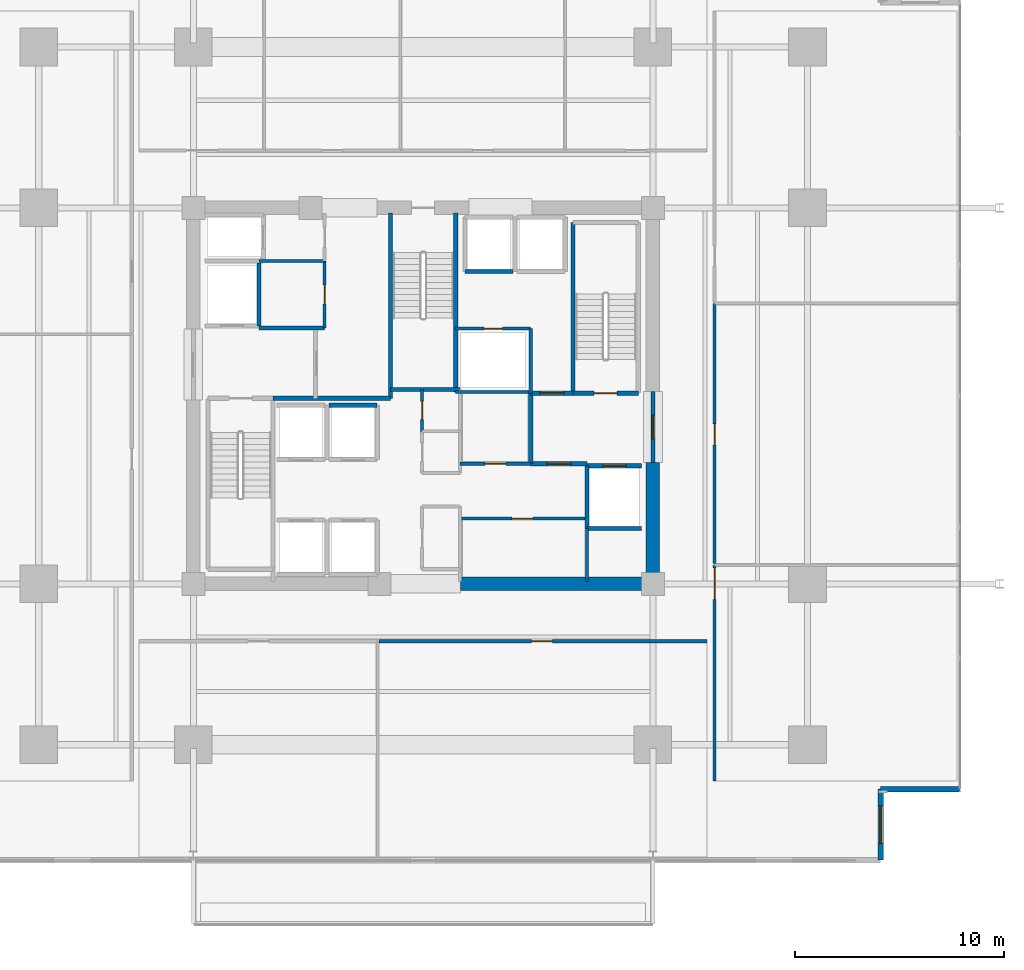
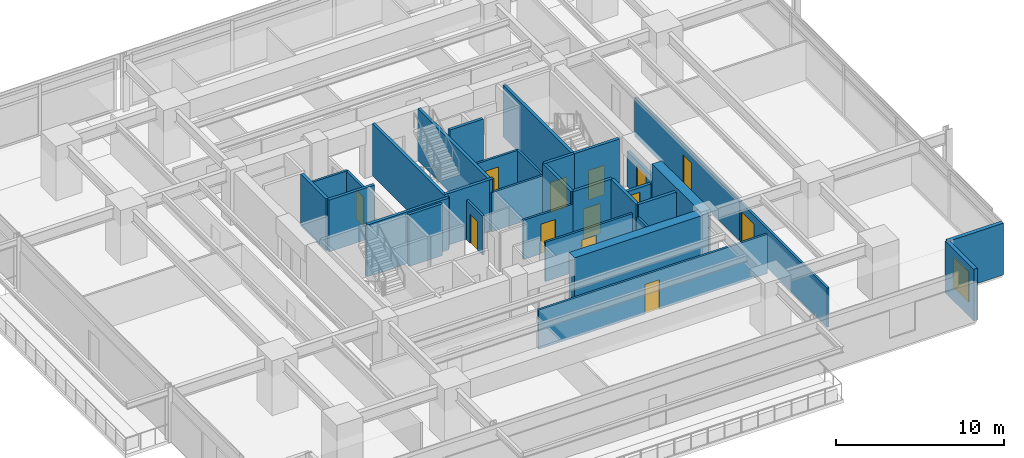
# One storey, part 16 of 23: 33 walls, 13 doors, 1 window, 14 openings.
"""IFC4 building model written with IfcOpenShell, lengths in metres."""

from ifc_helpers import new_model, si_unit, direction, frame, frame_2d, origin, place, context, subcontext, project, spatial, rectangle, extrude, material, layer, layer_set, type_object, element, fill, save


model = new_model("IFC4")

# Units and contexts
model_context = context("Model", 3, precision=1e-05, world=origin(), true_north=direction((0.0, 1.0)))
body_context = subcontext(model_context, "Body", "Model", "MODEL_VIEW")
ifc_project = project(units=[si_unit("LENGTHUNIT", "METRE"), si_unit("AREAUNIT", "SQUARE_METRE"), si_unit("VOLUMEUNIT", "CUBIC_METRE"), si_unit("PLANEANGLEUNIT", "RADIAN"), si_unit("MASSUNIT", "GRAM", prefix="KILO")], contexts=[model_context])

# Site, building, storey
site_placement = place(None, origin())
site = spatial("IfcSite", under=ifc_project, at=site_placement, CompositionType="ELEMENT")
building_placement = place(site_placement, origin())
building = spatial("IfcBuilding", under=site, at=building_placement, Name="Kovane Verandah Tower", CompositionType="ELEMENT")
storey_placement = place(building_placement, frame((0.0, 0.0, 55.60009765625)))
storey = spatial("IfcBuildingStorey", under=building, at=storey_placement, Name="L12", CompositionType="ELEMENT", Elevation=55.60009765625)

# Wall, opening, door
ifc_material_1 = material(Name="Fire-Rated Gypsum Stud Partition", Category="gypsum")
ifc_layer_1 = layer(ifc_material_1, 0.14990234375)
ifc_layer_set_1 = layer_set([ifc_layer_1], Name="Fire-Rated Gypsum Stud Partition")
wall_type_1 = type_object("IfcWallType", Name="WL-COR-150", PredefinedType="PARTITIONING", material=ifc_layer_set_1)
wall_1_placement = place(storey_placement, frame((39.949951171875, 25.800048828125, 0.0), z_axis=(0.0, 0.0, 1.0), x_axis=(0.0, 1.0, 0.0)))
wall_1 = element("IfcWall", 1, at=wall_1_placement, inside=storey, type_object=wall_type_1, Name="L12 Telecom and BMS Riser Room Partition", PredefinedType="PARTITIONING", context=body_context, shape_type="SweptSolid", body=[
    extrude(rectangle(XDim=2.0, YDim=0.14990234375, at=frame_2d((1.0, 0.0))), origin(), (0.0, 0.0, 1.0), 2.849853515625),
])
opening_1_placement = place(wall_1_placement, frame((0.56005859375, 0.0, 0.0)))
opening_1 = element("IfcOpeningElement", 2, at=opening_1_placement, cuts=wall_1, Name="Opening DR-L12-024", PredefinedType="OPENING", context=body_context, shape_type="SweptSolid", body=[
    extrude(rectangle(XDim=0.8798828125, YDim=2.10009765625, at=frame_2d((0.43994140625, 1.050048828125))), frame((0.0, 0.074951171875, 0.0), z_axis=(0.0, -1.0, 0.0), x_axis=(1.0, 0.0, 0.0)), (0.0, 0.0, 1.0), 0.14990234375),
])
ifc_material_2 = material(Name="Fire-Rated Steel Riser Access Door", Category="steel")
door_type_1 = type_object("IfcDoorType", Name="DR-RISER-880", OperationType="SINGLE_SWING_LEFT", PredefinedType="DOOR", material=ifc_material_2)
door_1_placement = place(opening_1_placement, origin())
door_1 = element("IfcDoor", 3, at=door_1_placement, inside=storey, type_object=door_type_1, Name="L12 Telecom and BMS Riser Room Door", OperationType="SINGLE_SWING_LEFT", OverallHeight=2.10009765625, OverallWidth=0.8798828125, PredefinedType="DOOR", context=body_context, shape_type="SweptSolid", body=[
    extrude(rectangle(XDim=0.8798828125, YDim=2.10009765625, at=frame_2d((0.43994140625, 1.050048828125))), frame((0.0, 0.02490234375, 0.0), z_axis=(0.0, -1.0, 0.0), x_axis=(1.0, 0.0, 0.0)), (0.0, 0.0, 1.0), 0.050048828125),
])
fill(opening_1, door_1)

# Wall
wall_2_placement = place(storey_placement, frame((32.14990234375, 33.949951171875, 0.0), z_axis=(0.0, 0.0, 1.0), x_axis=(1.0, 0.0, 0.0)))
element("IfcWall", 4, at=wall_2_placement, inside=storey, type_object=wall_type_1, Name="L12 Goods Lift Lobby South Wall", PredefinedType="PARTITIONING", context=body_context, shape_type="SweptSolid", body=[
    extrude(rectangle(XDim=3.130126953125, YDim=0.14990234375, at=frame_2d((1.56494140625, 0.0))), origin(), (0.0, 0.0, 1.0), 2.849853515625),
])

# Wall, opening, door
wall_3_placement = place(storey_placement, frame((35.280029296875, 30.75, 0.0), z_axis=(0.0, 0.0, 1.0), x_axis=(0.0, 1.0, 0.0)))
wall_3 = element("IfcWall", 5, at=wall_3_placement, inside=storey, type_object=wall_type_1, Name="L12 Accessible Unisex Toilet Partition", PredefinedType="PARTITIONING", context=body_context, shape_type="SweptSolid", body=[
    extrude(rectangle(XDim=3.199951171875, YDim=0.14990234375, at=frame_2d((1.60009765625, 0.0))), origin(), (0.0, 0.0, 1.0), 2.849853515625),
])
opening_2_placement = place(wall_3_placement, frame((1.14990234375, 0.0, 0.0)))
opening_2 = element("IfcOpeningElement", 6, at=opening_2_placement, cuts=wall_3, Name="Opening DR-L12-025", PredefinedType="OPENING", context=body_context, shape_type="SweptSolid", body=[
    extrude(rectangle(XDim=0.89990234375, YDim=2.10009765625, at=frame_2d((0.449951171875, 1.050048828125))), frame((0.0, 0.074951171875, 0.0), z_axis=(0.0, -1.0, 0.0), x_axis=(1.0, 0.0, 0.0)), (0.0, 0.0, 1.0), 0.14990234375),
])
ifc_material_3 = material(Name="Moisture-Resistant Laminate Washroom Door", Category="wood")
door_type_2 = type_object("IfcDoorType", Name="DR-WC-900", OperationType="SINGLE_SWING_LEFT", PredefinedType="DOOR", material=ifc_material_3)
door_2_placement = place(opening_2_placement, origin())
door_2 = element("IfcDoor", 7, at=door_2_placement, inside=storey, type_object=door_type_2, Name="L12 Accessible Unisex Toilet Door", OperationType="SINGLE_SWING_LEFT", OverallHeight=2.10009765625, OverallWidth=0.89990234375, PredefinedType="DOOR", context=body_context, shape_type="SweptSolid", body=[
    extrude(rectangle(XDim=0.89990234375, YDim=2.10009765625, at=frame_2d((0.449951171875, 1.050048828125))), frame((0.0, 0.02490234375, 0.0), z_axis=(0.0, -1.0, 0.0), x_axis=(1.0, 0.0, 0.0)), (0.0, 0.0, 1.0), 0.050048828125),
])
fill(opening_2, door_2)

# Walls
wall_4_placement = place(storey_placement, frame((41.56005859375, 27.679931640625, 0.0), z_axis=(0.0, 0.0, 1.0), x_axis=(1.0, 0.0, 0.0)))
element("IfcWall", 8, at=wall_4_placement, inside=storey, type_object=wall_type_1, Name="L12 East Core Service Riser South Wall", PredefinedType="PARTITIONING", context=body_context, shape_type="SweptSolid", body=[
    extrude(rectangle(XDim=3.58984375, YDim=0.14990234375, at=frame_2d((1.794921875, 0.0))), origin(), (0.0, 0.0, 1.0), 2.849853515625),
])
wall_5_placement = place(storey_placement, frame((47.85009765625, 18.60009765625, 0.0), z_axis=(0.0, 0.0, 1.0), x_axis=(0.0, 1.0, 0.0)))
element("IfcWall", 9, at=wall_5_placement, inside=storey, type_object=wall_type_1, Name="L12 East Core Support East Wall", PredefinedType="PARTITIONING", context=body_context, shape_type="SweptSolid", body=[
    extrude(rectangle(XDim=2.539794921875, YDim=0.14990234375, at=frame_2d((1.27001953125, 0.0))), origin(), (0.0, 0.0, 1.0), 2.849853515625),
])

# Wall, opening, door
wall_6_placement = place(storey_placement, frame((41.760009765625, 21.6201171875, 0.0), z_axis=(0.0, 0.0, 1.0), x_axis=(1.0, 0.0, 0.0)))
wall_6 = element("IfcWall", 10, at=wall_6_placement, inside=storey, type_object=wall_type_1, Name="L12 Records Vault Room Partition", PredefinedType="PARTITIONING", context=body_context, shape_type="SweptSolid", body=[
    extrude(rectangle(XDim=5.97998046875, YDim=0.14990234375, at=frame_2d((2.989990234375, 0.0))), origin(), (0.0, 0.0, 1.0), 2.849853515625),
])
opening_3_placement = place(wall_6_placement, frame((2.489990234375, 0.0, 0.0)))
opening_3 = element("IfcOpeningElement", 11, at=opening_3_placement, cuts=wall_6, Name="Opening DR-L12-015", PredefinedType="OPENING", context=body_context, shape_type="SweptSolid", body=[
    extrude(rectangle(XDim=1.0, YDim=2.14990234375, at=frame_2d((0.5, 1.074951171875))), frame((0.0, 0.074951171875, 0.0), z_axis=(0.0, -1.0, 0.0), x_axis=(1.0, 0.0, 0.0)), (0.0, 0.0, 1.0), 0.14990234375),
])
ifc_material_4 = material(Name="FSC Spotted-Gum Timber Fire-Rated Office Door", Category="wood")
door_type_3 = type_object("IfcDoorType", Name="DR-OFF-1000", OperationType="SINGLE_SWING_LEFT", PredefinedType="DOOR", material=ifc_material_4)
door_3_placement = place(opening_3_placement, origin())
door_3 = element("IfcDoor", 12, at=door_3_placement, inside=storey, type_object=door_type_3, Name="L12 Records Vault Room Door", OperationType="SINGLE_SWING_RIGHT", OverallHeight=2.14990234375, OverallWidth=1.0, PredefinedType="DOOR", context=body_context, shape_type="SweptSolid", body=[
    extrude(rectangle(XDim=1.0, YDim=2.14990234375, at=frame_2d((0.5, 1.074951171875))), frame((0.0, 0.02490234375, 0.0), z_axis=(0.0, -1.0, 0.0), x_axis=(1.0, 0.0, 0.0)), (0.0, 0.0, 1.0), 0.050048828125),
])
fill(opening_3, door_3)

wall_7_placement = place(storey_placement, frame((41.760009765625, 24.25, 0.0), z_axis=(0.0, 0.0, 1.0), x_axis=(1.0, 0.0, 0.0)))
wall_7 = element("IfcWall", 13, at=wall_7_placement, inside=storey, type_object=wall_type_1, Name="L12 Document Archive Room Partition", PredefinedType="PARTITIONING", context=body_context, shape_type="SweptSolid", body=[
    extrude(rectangle(XDim=3.389892578125, YDim=0.14990234375, at=frame_2d((1.69482421875, 0.0))), origin(), (0.0, 0.0, 1.0), 2.849853515625),
])
opening_4_placement = place(wall_7_placement, frame((1.195068359375, 0.0, 0.0)))
opening_4 = element("IfcOpeningElement", 14, at=opening_4_placement, cuts=wall_7, Name="Opening DR-L12-016", PredefinedType="OPENING", context=body_context, shape_type="SweptSolid", body=[
    extrude(rectangle(XDim=1.0, YDim=2.14990234375, at=frame_2d((0.5, 1.074951171875))), frame((0.0, 0.074951171875, 0.0), z_axis=(0.0, -1.0, 0.0), x_axis=(1.0, 0.0, 0.0)), (0.0, 0.0, 1.0), 0.14990234375),
])
door_4_placement = place(opening_4_placement, origin())
door_4 = element("IfcDoor", 15, at=door_4_placement, inside=storey, type_object=door_type_3, Name="L12 Document Archive Room Door", OperationType="SINGLE_SWING_LEFT", OverallHeight=2.14990234375, OverallWidth=1.0, PredefinedType="DOOR", context=body_context, shape_type="SweptSolid", body=[
    extrude(rectangle(XDim=1.0, YDim=2.14990234375, at=frame_2d((0.5, 1.074951171875))), frame((0.0, 0.02490234375, 0.0), z_axis=(0.0, -1.0, 0.0), x_axis=(1.0, 0.0, 0.0)), (0.0, 0.0, 1.0), 0.050048828125),
])
fill(opening_4, door_4)

# Wall
wall_8_placement = place(storey_placement, frame((45.14990234375, 27.6201171875, 0.0), z_axis=(0.0, 0.0, 1.0), x_axis=(0.0, 1.0, 0.0)))
element("IfcWall", 16, at=wall_8_placement, inside=storey, type_object=wall_type_1, Name="L12 East Core Service Riser East Wall", PredefinedType="PARTITIONING", context=body_context, shape_type="SweptSolid", body=[
    extrude(rectangle(XDim=3.099853515625, YDim=0.14990234375, at=frame_2d((1.5498046875, 0.0))), origin(), (0.0, 0.0, 1.0), 2.849853515625),
])

# Wall, opening, door
wall_9_placement = place(storey_placement, frame((41.56005859375, 30.719970703125, 0.0), z_axis=(0.0, 0.0, 1.0), x_axis=(1.0, 0.0, 0.0)))
wall_9 = element("IfcWall", 17, at=wall_9_placement, inside=storey, type_object=wall_type_1, Name="L12 Combined Chilled Water and Smoke Duct Room Partition", PredefinedType="PARTITIONING", context=body_context, shape_type="SweptSolid", body=[
    extrude(rectangle(XDim=3.58984375, YDim=0.14990234375, at=frame_2d((1.794921875, 0.0))), origin(), (0.0, 0.0, 1.0), 2.849853515625),
])
opening_5_placement = place(wall_9_placement, frame((1.35498046875, 0.0, 0.0)))
opening_5 = element("IfcOpeningElement", 18, at=opening_5_placement, cuts=wall_9, Name="Opening DR-L12-017", PredefinedType="OPENING", context=body_context, shape_type="SweptSolid", body=[
    extrude(rectangle(XDim=0.8798828125, YDim=2.10009765625, at=frame_2d((0.43994140625, 1.050048828125))), frame((0.0, 0.074951171875, 0.0), z_axis=(0.0, -1.0, 0.0), x_axis=(1.0, 0.0, 0.0)), (0.0, 0.0, 1.0), 0.14990234375),
])
door_5_placement = place(opening_5_placement, origin())
door_5 = element("IfcDoor", 19, at=door_5_placement, inside=storey, type_object=door_type_1, Name="L12 Combined Chilled Water and Smoke Duct Room Door", OperationType="SINGLE_SWING_RIGHT", OverallHeight=2.10009765625, OverallWidth=0.8798828125, PredefinedType="DOOR", context=body_context, shape_type="SweptSolid", body=[
    extrude(rectangle(XDim=0.8798828125, YDim=2.10009765625, at=frame_2d((0.43994140625, 1.050048828125))), frame((0.0, 0.02490234375, 0.0), z_axis=(0.0, -1.0, 0.0), x_axis=(1.0, 0.0, 0.0)), (0.0, 0.0, 1.0), 0.050048828125),
])
fill(opening_5, door_5)

wall_10_placement = place(storey_placement, frame((37.89404296875, 15.75, 0.0), z_axis=(0.0, 0.0, 1.0), x_axis=(1.0, 0.0, 0.0)))
wall_10 = element("IfcWall", 20, at=wall_10_placement, inside=storey, type_object=wall_type_1, Name="L12 Document and Print Room S2 Corridor Partition", PredefinedType="PARTITIONING", context=body_context, shape_type="SweptSolid", body=[
    extrude(rectangle(XDim=15.7060546875, YDim=0.14990234375, at=frame_2d((7.85302734375, 0.0))), origin(), (0.0, 0.0, 1.0), 2.849853515625),
])
opening_6_placement = place(wall_10_placement, frame((7.302978515625, 0.0, 0.0)))
opening_6 = element("IfcOpeningElement", 21, at=opening_6_placement, cuts=wall_10, Name="Opening DR-L12-023", PredefinedType="OPENING", context=body_context, shape_type="SweptSolid", body=[
    extrude(rectangle(XDim=1.0, YDim=2.14990234375, at=frame_2d((0.5, 1.074951171875))), frame((0.0, 0.074951171875, 0.0), z_axis=(0.0, -1.0, 0.0), x_axis=(1.0, 0.0, 0.0)), (0.0, 0.0, 1.0), 0.14990234375),
])
door_6_placement = place(opening_6_placement, origin())
door_6 = element("IfcDoor", 22, at=door_6_placement, inside=storey, type_object=door_type_3, Name="L12 Document and Print Room S2 Entrance Door", OperationType="SINGLE_SWING_RIGHT", OverallHeight=2.14990234375, OverallWidth=1.0, PredefinedType="DOOR", context=body_context, shape_type="SweptSolid", body=[
    extrude(rectangle(XDim=1.0, YDim=2.14990234375, at=frame_2d((0.5, 1.074951171875))), frame((0.0, 0.02490234375, 0.0), z_axis=(0.0, -1.0, 0.0), x_axis=(1.0, 0.0, 0.0)), (0.0, 0.0, 1.0), 0.050048828125),
])
fill(opening_6, door_6)

wall_11_placement = place(storey_placement, frame((53.949951171875, 9.07275390625, 0.0), z_axis=(0.0, 0.0, 1.0), x_axis=(0.0, 1.0, 0.0)))
wall_11 = element("IfcWall", 23, at=wall_11_placement, inside=storey, type_object=wall_type_1, Name="L12 Client Boardroom E1 Corridor Partition", PredefinedType="PARTITIONING", context=body_context, shape_type="SweptSolid", body=[
    extrude(rectangle(XDim=10.3193359375, YDim=0.14990234375, at=frame_2d((5.15966796875, 0.0))), origin(), (0.0, 0.0, 1.0), 2.849853515625),
])
opening_7_placement = place(wall_11_placement, frame((8.67919921875, 0.0, 0.0)))
opening_7 = element("IfcOpeningElement", 24, at=opening_7_placement, cuts=wall_11, Name="Opening DR-L12-012", PredefinedType="OPENING", context=body_context, shape_type="SweptSolid", body=[
    extrude(rectangle(XDim=1.5, YDim=2.25, at=frame_2d((0.75, 1.125))), frame((0.0, 0.074951171875, 0.0), z_axis=(0.0, -1.0, 0.0), x_axis=(1.0, 0.0, 0.0)), (0.0, 0.0, 1.0), 0.14990234375),
])
ifc_material_5 = material(Name="Glazed Timber Fire-Rated Double Door", Category="wood")
door_type_4 = type_object("IfcDoorType", Name="DR-CONF-1500", OperationType="DOUBLE_DOOR_SINGLE_SWING", PredefinedType="DOOR", material=ifc_material_5)
door_7_placement = place(opening_7_placement, origin())
door_7 = element("IfcDoor", 25, at=door_7_placement, inside=storey, type_object=door_type_4, Name="L12 Client Boardroom E1 Entrance Door", OperationType="DOUBLE_DOOR_SINGLE_SWING", OverallHeight=2.25, OverallWidth=1.5, PredefinedType="DOOR", context=body_context, shape_type="SweptSolid", body=[
    extrude(rectangle(XDim=1.5, YDim=2.25, at=frame_2d((0.75, 1.125))), frame((0.0, 0.02490234375, 0.0), z_axis=(0.0, -1.0, 0.0), x_axis=(1.0, 0.0, 0.0)), (0.0, 0.0, 1.0), 0.050048828125),
])
fill(opening_7, door_7)

wall_12_placement = place(storey_placement, frame((53.949951171875, 19.4619140625, 0.0), z_axis=(0.0, 0.0, 1.0), x_axis=(0.0, 1.0, 0.0)))
wall_12 = element("IfcWall", 26, at=wall_12_placement, inside=storey, type_object=wall_type_1, Name="L12 Meeting Room E2 Corridor Partition", PredefinedType="PARTITIONING", context=body_context, shape_type="SweptSolid", body=[
    extrude(rectangle(XDim=12.460693359375, YDim=0.14990234375, at=frame_2d((6.23046875, 0.0))), origin(), (0.0, 0.0, 1.0), 2.849853515625),
])
opening_8_placement = place(wall_12_placement, frame((5.6953125, 0.0, 0.0)))
opening_8 = element("IfcOpeningElement", 27, at=opening_8_placement, cuts=wall_12, Name="Opening DR-L12-013", PredefinedType="OPENING", context=body_context, shape_type="SweptSolid", body=[
    extrude(rectangle(XDim=1.0, YDim=2.14990234375, at=frame_2d((0.5, 1.074951171875))), frame((0.0, 0.074951171875, 0.0), z_axis=(0.0, -1.0, 0.0), x_axis=(1.0, 0.0, 0.0)), (0.0, 0.0, 1.0), 0.14990234375),
])
door_8_placement = place(opening_8_placement, origin())
door_8 = element("IfcDoor", 28, at=door_8_placement, inside=storey, type_object=door_type_3, Name="L12 Meeting Room E2 Entrance Door", OperationType="SINGLE_SWING_RIGHT", OverallHeight=2.14990234375, OverallWidth=1.0, PredefinedType="DOOR", context=body_context, shape_type="SweptSolid", body=[
    extrude(rectangle(XDim=1.0, YDim=2.14990234375, at=frame_2d((0.5, 1.074951171875))), frame((0.0, 0.02490234375, 0.0), z_axis=(0.0, -1.0, 0.0), x_axis=(1.0, 0.0, 0.0)), (0.0, 0.0, 1.0), 0.050048828125),
])
fill(opening_8, door_8)

# Walls
ifc_material_6 = material(Name="Concrete C80/95", Category="concrete")
ifc_layer_2 = layer(ifc_material_6, 0.64990234375)
ifc_layer_set_2 = layer_set([ifc_layer_2], Name="Concrete C80/95")
wall_type_2 = type_object("IfcWallType", Name="WL-CORE-650", PredefinedType="SHEAR", material=ifc_layer_set_2)
wall_13_placement = place(storey_placement, frame((41.800048828125, 18.5, 0.0), z_axis=(0.0, 0.0, 1.0), x_axis=(1.0, 0.0, 0.0)))
element("IfcWall", 29, at=wall_13_placement, inside=storey, type_object=wall_type_2, Name="L12 Core Shear Wall CS-2", PredefinedType="SHEAR", context=body_context, shape_type="SweptSolid", body=[
    extrude(rectangle(XDim=9.199951171875, YDim=0.64990234375, at=frame_2d((4.60009765625, 0.0))), origin(), (0.0, 0.0, 1.0), 3.760009765625),
])
wall_14_placement = place(storey_placement, frame((51.0, 18.5, 0.0), z_axis=(0.0, 0.0, 1.0), x_axis=(0.0, 1.0, 0.0)))
element("IfcWall", 30, at=wall_14_placement, inside=storey, type_object=wall_type_2, Name="L12 Core Shear Wall CE-1", PredefinedType="SHEAR", context=body_context, shape_type="SweptSolid", body=[
    extrude(rectangle(XDim=5.800048828125, YDim=0.64990234375, at=frame_2d((2.89990234375, 0.0))), origin(), (0.0, 0.0, 1.0), 3.760009765625),
])
ifc_material_7 = material(Name="Concrete C45/55 Fire Wall", Category="concrete")
ifc_layer_3 = layer(ifc_material_7, 0.199951171875)
ifc_layer_set_3 = layer_set([ifc_layer_3], Name="Concrete C45/55 Fire Wall")
wall_type_3 = type_object("IfcWallType", Name="WL-FFL-200", PredefinedType="PARTITIONING", material=ifc_layer_set_3)
wall_15_placement = place(storey_placement, frame((32.820068359375, 27.3798828125, 0.0), z_axis=(0.0, 0.0, 1.0), x_axis=(1.0, 0.0, 0.0)))
element("IfcWall", 31, at=wall_15_placement, inside=storey, type_object=wall_type_3, Name="L12 West Firefighting Lobby South Fire Wall", PredefinedType="PARTITIONING", context=body_context, shape_type="SweptSolid", body=[
    extrude(rectangle(XDim=5.619873046875, YDim=0.199951171875, at=frame_2d((2.81005859375, 0.0))), origin(), (0.0, 0.0, 1.0), 3.760009765625),
])
wall_16_placement = place(storey_placement, frame((32.14990234375, 30.75, 0.0), z_axis=(0.0, 0.0, 1.0), x_axis=(1.0, 0.0, 0.0)))
element("IfcWall", 32, at=wall_16_placement, inside=storey, type_object=wall_type_3, Name="L12 West Firefighting Lobby North Fire Wall", PredefinedType="PARTITIONING", context=body_context, shape_type="SweptSolid", body=[
    extrude(rectangle(XDim=3.130126953125, YDim=0.199951171875, at=frame_2d((1.56494140625, 0.0))), origin(), (0.0, 0.0, 1.0), 3.760009765625),
])
wall_17_placement = place(storey_placement, frame((45.14990234375, 24.25, 0.0), z_axis=(0.0, 0.0, 1.0), x_axis=(0.0, 1.0, 0.0)))
element("IfcWall", 33, at=wall_17_placement, inside=storey, type_object=wall_type_3, Name="L12 East Firefighting Lobby West Fire Wall", PredefinedType="PARTITIONING", context=body_context, shape_type="SweptSolid", body=[
    extrude(rectangle(XDim=3.3701171875, YDim=0.199951171875, at=frame_2d((1.68505859375, 0.0))), origin(), (0.0, 0.0, 1.0), 3.760009765625),
])

# Wall, opening, door
wall_18_placement = place(storey_placement, frame((45.14990234375, 24.25, 0.0), z_axis=(0.0, 0.0, 1.0), x_axis=(1.0, 0.0, 0.0)))
wall_18 = element("IfcWall", 34, at=wall_18_placement, inside=storey, type_object=wall_type_3, Name="W-L12-FFLE-S", PredefinedType="PARTITIONING", context=body_context, shape_type="SweptSolid", body=[
    extrude(rectangle(XDim=2.7001953125, YDim=0.199951171875, at=frame_2d((1.35009765625, 0.0))), origin(), (0.0, 0.0, 1.0), 3.760009765625),
])
opening_9_placement = place(wall_18_placement, frame((0.77490234375, 0.0, 0.0)))
opening_9 = element("IfcOpeningElement", 35, at=opening_9_placement, cuts=wall_18, Name="Opening DR-L12-003", PredefinedType="OPENING", context=body_context, shape_type="SweptSolid", body=[
    extrude(rectangle(XDim=1.14990234375, YDim=2.199951171875, at=frame_2d((0.574951171875, 1.10009765625))), frame((0.0, 0.10009765625, 0.0), z_axis=(0.0, -1.0, 0.0), x_axis=(1.0, 0.0, 0.0)), (0.0, 0.0, 1.0), 0.199951171875),
])
ifc_material_8 = material(Name="Smoke-Sealed Firefighting Lobby Door", Category="steel")
door_type_5 = type_object("IfcDoorType", Name="DR-FFL-1150", OperationType="SINGLE_SWING_LEFT", PredefinedType="DOOR", material=ifc_material_8)
door_9_placement = place(opening_9_placement, origin())
door_9 = element("IfcDoor", 36, at=door_9_placement, inside=storey, type_object=door_type_5, Name="L12 East Firefighting Lobby Inner Door", OperationType="SINGLE_SWING_RIGHT", OverallHeight=2.199951171875, OverallWidth=1.14990234375, PredefinedType="DOOR", context=body_context, shape_type="SweptSolid", body=[
    extrude(rectangle(XDim=1.14990234375, YDim=2.199951171875, at=frame_2d((0.574951171875, 1.10009765625))), frame((0.0, 0.02490234375, 0.0), z_axis=(0.0, -1.0, 0.0), x_axis=(1.0, 0.0, 0.0)), (0.0, 0.0, 1.0), 0.050048828125),
])
fill(opening_9, door_9)

wall_19_placement = place(storey_placement, frame((45.14990234375, 27.6201171875, 0.0), z_axis=(0.0, 0.0, 1.0), x_axis=(1.0, 0.0, 0.0)))
wall_19 = element("IfcWall", 37, at=wall_19_placement, inside=storey, type_object=wall_type_3, Name="W-L12-FFLE-N", PredefinedType="PARTITIONING", context=body_context, shape_type="SweptSolid", body=[
    extrude(rectangle(XDim=2.030029296875, YDim=0.199951171875, at=frame_2d((1.01513671875, 0.0))), origin(), (0.0, 0.0, 1.0), 3.760009765625),
])
opening_10_placement = place(wall_19_placement, frame((0.43994140625, 0.0, 0.0)))
opening_10 = element("IfcOpeningElement", 38, at=opening_10_placement, cuts=wall_19, Name="Opening DR-L12-004", PredefinedType="OPENING", context=body_context, shape_type="SweptSolid", body=[
    extrude(rectangle(XDim=1.14990234375, YDim=2.199951171875, at=frame_2d((0.574951171875, 1.10009765625))), frame((0.0, 0.10009765625, 0.0), z_axis=(0.0, -1.0, 0.0), x_axis=(1.0, 0.0, 0.0)), (0.0, 0.0, 1.0), 0.199951171875),
])
door_10_placement = place(opening_10_placement, origin())
door_10 = element("IfcDoor", 39, at=door_10_placement, inside=storey, type_object=door_type_5, Name="L12 East Firefighting Lobby Shuttle Link Door", OperationType="SINGLE_SWING_LEFT", OverallHeight=2.199951171875, OverallWidth=1.14990234375, PredefinedType="DOOR", context=body_context, shape_type="SweptSolid", body=[
    extrude(rectangle(XDim=1.14990234375, YDim=2.199951171875, at=frame_2d((0.574951171875, 1.10009765625))), frame((0.0, 0.02490234375, 0.0), z_axis=(0.0, -1.0, 0.0), x_axis=(1.0, 0.0, 0.0)), (0.0, 0.0, 1.0), 0.050048828125),
])
fill(opening_10, door_10)

wall_20_placement = place(storey_placement, frame((51.0, 24.300048828125, 0.0), z_axis=(0.0, 0.0, 1.0), x_axis=(0.0, 1.0, 0.0)))
wall_20 = element("IfcWall", 40, at=wall_20_placement, inside=storey, type_object=wall_type_3, Name="W-L12-FFLE-OUT", PredefinedType="PARTITIONING", context=body_context, shape_type="SweptSolid", body=[
    extrude(rectangle(XDim=3.39990234375, YDim=0.199951171875, at=frame_2d((1.699951171875, 0.0))), origin(), (0.0, 0.0, 1.0), 2.539794921875),
])
opening_11_placement = place(wall_20_placement, frame((1.125, 0.0, 0.0)))
opening_11 = element("IfcOpeningElement", 41, at=opening_11_placement, cuts=wall_20, Name="Opening DR-L12-005", PredefinedType="OPENING", context=body_context, shape_type="SweptSolid", body=[
    extrude(rectangle(XDim=1.14990234375, YDim=2.199951171875, at=frame_2d((0.574951171875, 1.10009765625))), frame((0.0, 0.10009765625, 0.0), z_axis=(0.0, -1.0, 0.0), x_axis=(1.0, 0.0, 0.0)), (0.0, 0.0, 1.0), 0.199951171875),
])
door_11_placement = place(opening_11_placement, origin())
door_11 = element("IfcDoor", 42, at=door_11_placement, inside=storey, type_object=door_type_5, Name="L12 East Firefighting Lobby Corridor Door", OperationType="SINGLE_SWING_LEFT", OverallHeight=2.199951171875, OverallWidth=1.14990234375, PredefinedType="DOOR", context=body_context, shape_type="SweptSolid", body=[
    extrude(rectangle(XDim=1.14990234375, YDim=2.199951171875, at=frame_2d((0.574951171875, 1.10009765625))), frame((0.0, 0.02490234375, 0.0), z_axis=(0.0, -1.0, 0.0), x_axis=(1.0, 0.0, 0.0)), (0.0, 0.0, 1.0), 0.050048828125),
])
fill(opening_11, door_11)

# Walls
ifc_material_9 = material(Name="Concrete C45/55 Lift Shaft Wall", Category="concrete")
ifc_layer_4 = layer(ifc_material_9, 0.199951171875)
ifc_layer_set_4 = layer_set([ifc_layer_4], Name="Concrete C45/55 Lift Shaft Wall")
wall_type_4 = type_object("IfcWallType", Name="WL-LIFT-200", PredefinedType="SOLIDWALL", material=ifc_layer_set_4)
wall_21_placement = place(storey_placement, frame((32.14990234375, 30.85009765625, 0.0), z_axis=(0.0, 0.0, 1.0), x_axis=(0.0, 1.0, 0.0)))
element("IfcWall", 43, at=wall_21_placement, inside=storey, type_object=wall_type_4, Name="L12 Lift FL-01 E Shaft Wall", PredefinedType="SOLIDWALL", context=body_context, shape_type="SweptSolid", body=[
    extrude(rectangle(XDim=3.0, YDim=0.199951171875, at=frame_2d((1.5, 0.0))), origin(), (0.0, 0.0, 1.0), 3.760009765625),
])
wall_22_placement = place(storey_placement, frame((47.85009765625, 21.14990234375, 0.0), z_axis=(0.0, 0.0, 1.0), x_axis=(1.0, 0.0, 0.0)))
element("IfcWall", 44, at=wall_22_placement, inside=storey, type_object=wall_type_4, Name="L12 Lift FL-02 S Shaft Wall", PredefinedType="SOLIDWALL", context=body_context, shape_type="SweptSolid", body=[
    extrude(rectangle(XDim=2.599853515625, YDim=0.199951171875, at=frame_2d((1.2998046875, 0.0))), origin(), (0.0, 0.0, 1.0), 3.760009765625),
])

# Wall, opening, door
wall_23_placement = place(storey_placement, frame((50.449951171875, 24.14990234375, 0.0), z_axis=(0.0, 0.0, 1.0), x_axis=(-1.0, 0.0, 0.0)))
wall_23 = element("IfcWall", 45, at=wall_23_placement, inside=storey, type_object=wall_type_4, Name="L12 Lift FL-02 N Shaft Wall", PredefinedType="SOLIDWALL", context=body_context, shape_type="SweptSolid", body=[
    extrude(rectangle(XDim=2.599853515625, YDim=0.199951171875, at=frame_2d((1.2998046875, 0.0))), origin(), (0.0, 0.0, 1.0), 2.539794921875),
])
opening_12_placement = place(wall_23_placement, frame((0.75, 0.0, 0.0)))
opening_12 = element("IfcOpeningElement", 46, at=opening_12_placement, cuts=wall_23, Name="Opening LD-L12-002", PredefinedType="OPENING", context=body_context, shape_type="SweptSolid", body=[
    extrude(rectangle(XDim=1.10009765625, YDim=2.199951171875, at=frame_2d((0.550048828125, 1.10009765625))), frame((0.0, 0.10009765625, 0.0), z_axis=(0.0, -1.0, 0.0), x_axis=(1.0, 0.0, 0.0)), (0.0, 0.0, 1.0), 0.199951171875),
])
ifc_material_10 = material(Name="Brushed Stainless Steel Sliding Lift Landing Door", Category="steel")
door_type_6 = type_object("IfcDoorType", Name="DR-LIFT-1100", OperationType="SLIDING_TO_RIGHT", PredefinedType="DOOR", material=ifc_material_10)
door_12_placement = place(opening_12_placement, origin())
door_12 = element("IfcDoor", 47, at=door_12_placement, inside=storey, type_object=door_type_6, Name="L12 Lift FL-02 Sliding Landing Door", OperationType="SLIDING_TO_RIGHT", OverallHeight=2.199951171875, OverallWidth=1.10009765625, PredefinedType="DOOR", context=body_context, shape_type="SweptSolid", body=[
    extrude(rectangle(XDim=1.10009765625, YDim=2.199951171875, at=frame_2d((0.550048828125, 1.10009765625))), frame((0.0, 0.02490234375, 0.0), z_axis=(0.0, -1.0, 0.0), x_axis=(1.0, 0.0, 0.0)), (0.0, 0.0, 1.0), 0.050048828125),
])
fill(opening_12, door_12)

# Walls
wall_24_placement = place(storey_placement, frame((47.85009765625, 24.14990234375, 0.0), z_axis=(0.0, 0.0, 1.0), x_axis=(0.0, -1.0, 0.0)))
element("IfcWall", 48, at=wall_24_placement, inside=storey, type_object=wall_type_4, Name="L12 Lift FL-02 W Shaft Wall", PredefinedType="SOLIDWALL", context=body_context, shape_type="SweptSolid", body=[
    extrude(rectangle(XDim=3.0, YDim=0.199951171875, at=frame_2d((1.5, 0.0))), origin(), (0.0, 0.0, 1.0), 3.760009765625),
])
for number, where, z_axis, x_axis, name in (
    (49, (37.800048828125, 27.050048828125, 0.0), (0.0, 0.0, 1.0), (-1.0, 0.0, 0.0), "L12 Lift PL-L4 N Shaft Wall"),
    (50, (42.0, 33.449951171875, 0.0), (0.0, 0.0, 1.0), (1.0, 0.0, 0.0), "L12 Lift SL-01 S Shaft Wall"),
):
    element("IfcWall", number, at=place(storey_placement, frame(where, z_axis=z_axis, x_axis=x_axis)), inside=storey, type_object=wall_type_4, Name=name, PredefinedType="SOLIDWALL", context=body_context, shape_type="SweptSolid", body=[
        extrude(rectangle(XDim=2.300048828125, YDim=0.199951171875, at=frame_2d((1.14990234375, 0.0))), origin(), (0.0, 0.0, 1.0), 3.760009765625),
    ])
ifc_material_11 = material(Name="Concrete C45/55", Category="concrete")
ifc_layer_5 = layer(ifc_material_11, 0.199951171875)
ifc_layer_set_5 = layer_set([ifc_layer_5], Name="Concrete C45/55")
wall_type_5 = type_object("IfcWallType", Name="WL-SHAFT-200", PredefinedType="SOLIDWALL", material=ifc_layer_set_5)
wall_25_placement = place(storey_placement, frame((47.179931640625, 27.6201171875, 0.0), z_axis=(0.0, 0.0, 1.0), x_axis=(0.0, 1.0, 0.0)))
element("IfcWall", 51, at=wall_25_placement, inside=storey, type_object=wall_type_5, Name="W-L12-ST02-W", PredefinedType="SOLIDWALL", context=body_context, shape_type="SweptSolid", body=[
    extrude(rectangle(XDim=8.179931640625, YDim=0.199951171875, at=frame_2d((4.08984375, 0.0))), origin(), (0.0, 0.0, 1.0), 3.760009765625),
])

# Wall, opening, door
wall_26_placement = place(storey_placement, frame((47.179931640625, 27.6201171875, 0.0), z_axis=(0.0, 0.0, 1.0), x_axis=(1.0, 0.0, 0.0)))
wall_26 = element("IfcWall", 52, at=wall_26_placement, inside=storey, type_object=wall_type_5, Name="W-L12-ST02-S", PredefinedType="SOLIDWALL", context=body_context, shape_type="SweptSolid", body=[
    extrude(rectangle(XDim=3.1201171875, YDim=0.199951171875, at=frame_2d((1.56005859375, 0.0))), origin(), (0.0, 0.0, 1.0), 3.760009765625),
])
opening_13_placement = place(wall_26_placement, frame((1.010009765625, 0.0, 0.0)))
opening_13 = element("IfcOpeningElement", 53, at=opening_13_placement, cuts=wall_26, Name="Opening DR-L12-010", PredefinedType="OPENING", context=body_context, shape_type="SweptSolid", body=[
    extrude(rectangle(XDim=1.10009765625, YDim=2.14990234375, at=frame_2d((0.550048828125, 1.074951171875))), frame((0.0, 0.10009765625, 0.0), z_axis=(0.0, -1.0, 0.0), x_axis=(1.0, 0.0, 0.0)), (0.0, 0.0, 1.0), 0.199951171875),
])
ifc_material_12 = material(Name="Fire-Rated Steel Exit Door", Category="steel")
door_type_7 = type_object("IfcDoorType", Name="DR-STAIR-1100", OperationType="SINGLE_SWING_LEFT", PredefinedType="DOOR", material=ifc_material_12)
door_13_placement = place(opening_13_placement, origin())
door_13 = element("IfcDoor", 54, at=door_13_placement, inside=storey, type_object=door_type_7, Name="L12 ST-02 Fire Exit Stair Door", OperationType="SINGLE_SWING_LEFT", OverallHeight=2.14990234375, OverallWidth=1.10009765625, PredefinedType="DOOR", context=body_context, shape_type="SweptSolid", body=[
    extrude(rectangle(XDim=1.10009765625, YDim=2.14990234375, at=frame_2d((0.550048828125, 1.074951171875))), frame((0.0, 0.02490234375, 0.0), z_axis=(0.0, -1.0, 0.0), x_axis=(1.0, 0.0, 0.0)), (0.0, 0.0, 1.0), 0.050048828125),
])
fill(opening_13, door_13)

# Walls
wall_27_placement = place(storey_placement, frame((38.43994140625, 27.3798828125, 0.0), z_axis=(0.0, 0.0, 1.0), x_axis=(0.0, 1.0, 0.0)))
element("IfcWall", 55, at=wall_27_placement, inside=storey, type_object=wall_type_5, Name="W-L12-ST03-W", PredefinedType="SOLIDWALL", context=body_context, shape_type="SweptSolid", body=[
    extrude(rectangle(XDim=8.8701171875, YDim=0.199951171875, at=frame_2d((4.43505859375, 0.0))), origin(), (0.0, 0.0, 1.0), 3.760009765625),
])
wall_28_placement = place(storey_placement, frame((41.56005859375, 27.679931640625, 0.0), z_axis=(0.0, 0.0, 1.0), x_axis=(0.0, 1.0, 0.0)))
element("IfcWall", 56, at=wall_28_placement, inside=storey, type_object=wall_type_5, Name="W-L12-ST03-E", PredefinedType="SOLIDWALL", context=body_context, shape_type="SweptSolid", body=[
    extrude(rectangle(XDim=8.570068359375, YDim=0.199951171875, at=frame_2d((4.28515625, 0.0))), origin(), (0.0, 0.0, 1.0), 3.760009765625),
])
wall_29_placement = place(storey_placement, frame((38.43994140625, 27.800048828125, 0.0), z_axis=(0.0, 0.0, 1.0), x_axis=(1.0, 0.0, 0.0)))
element("IfcWall", 57, at=wall_29_placement, inside=storey, type_object=wall_type_5, Name="W-L12-ST03-S", PredefinedType="SOLIDWALL", context=body_context, shape_type="SweptSolid", body=[
    extrude(rectangle(XDim=3.320068359375, YDim=0.199951171875, at=frame_2d((1.66015625, 0.0))), origin(), (0.0, 0.0, 1.0), 3.760009765625),
])

# Wall, opening, window
ifc_material_13 = material(Name="Concrete C45/55 Insulated Spandrel Wall", Category="concrete")
ifc_layer_6 = layer(ifc_material_13, 0.260009765625)
ifc_layer_set_6 = layer_set([ifc_layer_6], Name="Concrete C45/55 Insulated Spandrel Wall")
wall_type_6 = type_object("IfcWallType", Name="WL-SPANDREL-260", PredefinedType="PARAPET", material=ifc_layer_set_6)
wall_30_placement = place(storey_placement, frame((61.89599609375, 5.272705078125, 0.0), z_axis=(0.0, 0.0, 1.0), x_axis=(0.0, 1.0, 0.0)))
wall_30 = element("IfcWall", 58, at=wall_30_placement, inside=storey, type_object=wall_type_6, Name="L12 SE Notch Cheek Wall 1", PredefinedType="PARAPET", context=body_context, shape_type="SweptSolid", body=[
    extrude(rectangle(XDim=3.400146484375, YDim=0.260009765625, at=frame_2d((1.7001953125, 0.0))), origin(), (0.0, 0.0, 1.0), 3.760009765625),
])
opening_14_placement = place(wall_30_placement, frame((0.800048828125, 0.0, 0.85009765625)))
opening_14 = element("IfcOpeningElement", 59, at=opening_14_placement, cuts=wall_30, Name="Opening W-03", PredefinedType="OPENING", context=body_context, shape_type="SweptSolid", body=[
    extrude(rectangle(XDim=1.800048828125, YDim=2.199951171875, at=frame_2d((0.89990234375, 1.10009765625))), frame((0.0, 0.1298828125, 0.0), z_axis=(0.0, -1.0, 0.0), x_axis=(1.0, 0.0, 0.0)), (0.0, 0.0, 1.0), 0.260009765625),
])
ifc_material_14 = material(Name="Clear Low-E Laminated Double Glazing in Anodised Frame", Category="glass")
window_type = type_object("IfcWindowType", Name="WN-NOTCH-1800x2200", PartitioningType="SINGLE_PANEL", PredefinedType="WINDOW", material=ifc_material_14)
window_placement = place(opening_14_placement, origin())
window = element("IfcWindow", 60, at=window_placement, inside=storey, type_object=window_type, Name="L12 SE Re-Entrant Corner Operable Window", OverallHeight=2.199951171875, OverallWidth=1.800048828125, PartitioningType="SINGLE_PANEL", PredefinedType="WINDOW", context=body_context, shape_type="SweptSolid", body=[
    extrude(rectangle(XDim=1.800048828125, YDim=2.199951171875, at=frame_2d((0.89990234375, 1.10009765625))), frame((0.0, 0.030029296875, 0.0), z_axis=(0.0, -1.0, 0.0), x_axis=(1.0, 0.0, 0.0)), (0.0, 0.0, 1.0), 0.06005859375),
])
fill(opening_14, window)

# Wall
wall_31_placement = place(storey_placement, frame((61.89599609375, 8.6728515625, 0.0), z_axis=(0.0, 0.0, 1.0), x_axis=(1.0, 0.0, 0.0)))
element("IfcWall", 61, at=wall_31_placement, inside=storey, type_object=wall_type_6, Name="L12 SE Notch Cheek Wall 2", PredefinedType="PARAPET", context=body_context, shape_type="SweptSolid", body=[
    extrude(rectangle(XDim=3.800048828125, YDim=0.260009765625, at=frame_2d((1.89990234375, 0.0))), origin(), (0.0, 0.0, 1.0), 3.760009765625),
])

save(model, "model.ifc")
